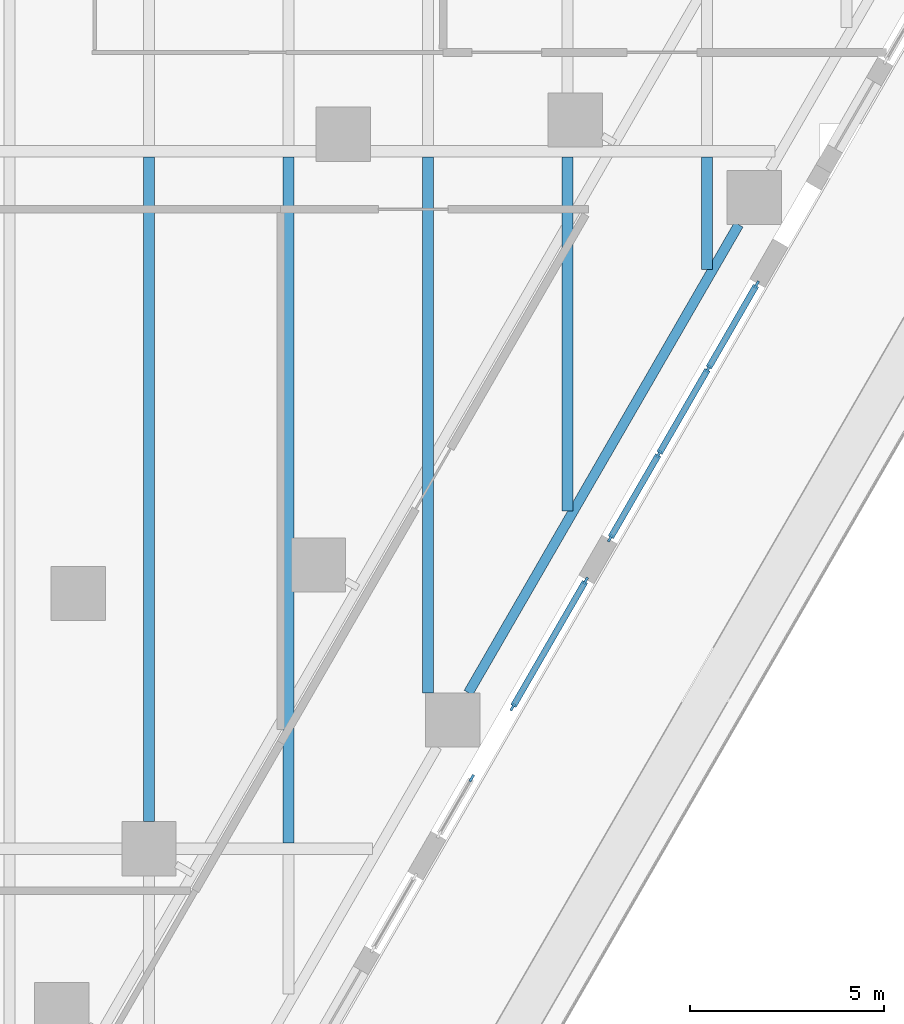
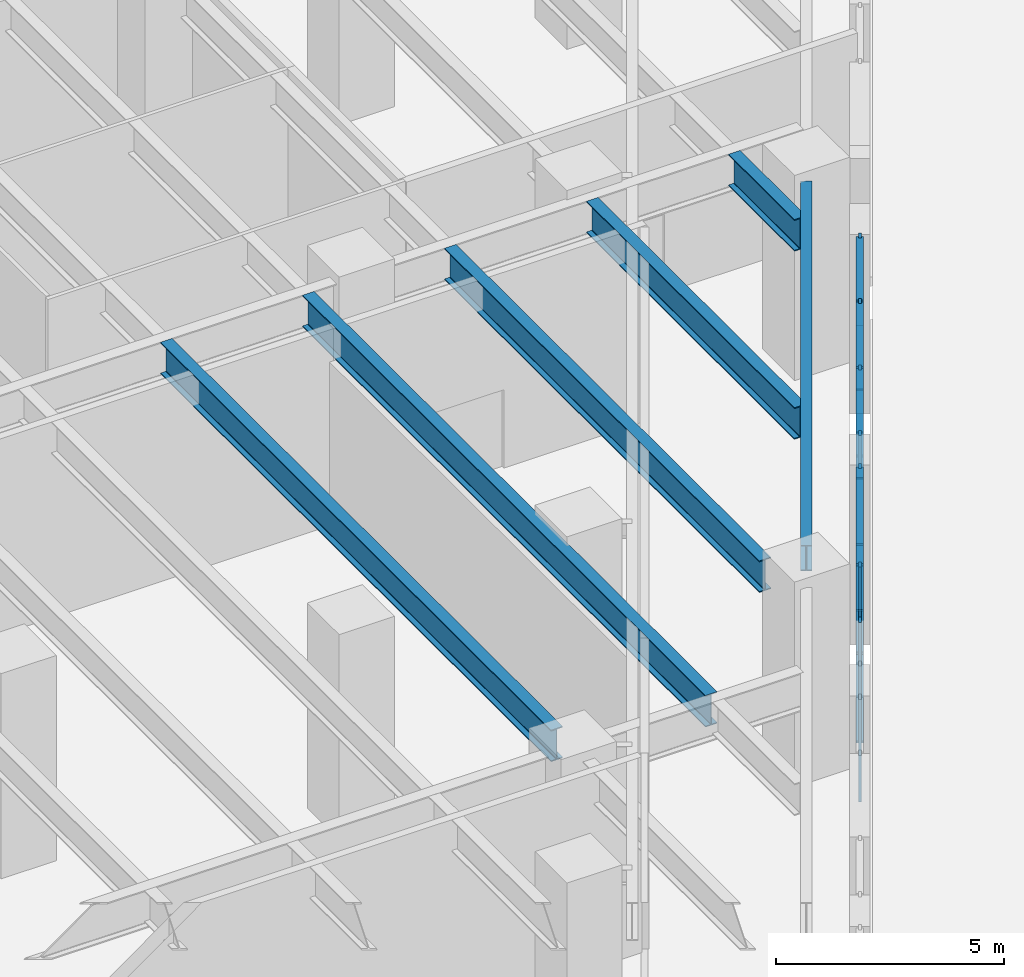
# One storey, part 10 of 30: 19 members, 6 beams, 3 elements without a shape of their own.
"""IFC4 building model written with IfcOpenShell, lengths in metres."""

from ifc_helpers import new_model, si_unit, direction, frame, origin, origin_2d, place, context, subcontext, project, spatial, rectangle, i_section, extrude, material, material_profile, profile_set, type_object, element, aggregate, save


model = new_model("IFC4")

# Units and contexts
model_context = context("Model", 3, precision=1e-05, world=origin(), true_north=direction((0.0, 1.0)))
body_context = subcontext(model_context, "Body", "Model", "MODEL_VIEW")
ifc_project = project(units=[si_unit("LENGTHUNIT", "METRE"), si_unit("AREAUNIT", "SQUARE_METRE"), si_unit("VOLUMEUNIT", "CUBIC_METRE"), si_unit("PLANEANGLEUNIT", "RADIAN"), si_unit("MASSUNIT", "GRAM", prefix="KILO")], contexts=[model_context])

# Site, building, storey
site_placement = place(None, origin())
site = spatial("IfcSite", under=ifc_project, at=site_placement, CompositionType="ELEMENT")
building_placement = place(site_placement, origin())
building = spatial("IfcBuilding", under=site, at=building_placement, Name="Aloe Facet Convention Tower", CompositionType="ELEMENT")
storey_placement = place(building_placement, frame((0.0, 0.0, 19.5)))
storey = spatial("IfcBuildingStorey", under=building, at=storey_placement, Name="L03", CompositionType="ELEMENT", Elevation=19.5)

# Curtain wall, member
ifc_material_1 = material(Name="Aluminium, anodised", Category="aluminium")
curtain_wall_type = type_object("IfcCurtainWallType", Name="EV-CW-HALL", PredefinedType="USERDEFINED", material=ifc_material_1)
curtain_wall_1_placement = place(storey_placement, origin())
curtain_wall_1 = element("IfcCurtainWall", 1, at=curtain_wall_1_placement, inside=storey, type_object=curtain_wall_type, Name="CW-L03-E12-1", ObjectType="UNITISED HALL GLAZING", PredefinedType="USERDEFINED")
ifc_material_2 = material(Name="Aluminium, anodised", Category="aluminium")
ifc_material_profile_1 = material_profile(ifc_material_2, rectangle(XDim=0.06494140625, YDim=0.199951171875, at=origin_2d()), Name="AL 65x200")
ifc_profile_set_1 = profile_set([ifc_material_profile_1], Name="Aluminium, anodised")
member_type_1 = type_object("IfcMemberType", Name="EV-MULL-HALL", PredefinedType="MULLION", material=ifc_profile_set_1)
member_1_placement = place(storey_placement, frame((106.328125, 100.822021484375, -0.25), z_axis=(0.0, 0.0, 1.0), x_axis=(-0.866025403846, 0.499999999894, 0.0)))
member_1 = element("IfcMember", 2, at=member_1_placement, type_object=member_type_1, Name="CW-L03-E12-1 mullion 2", PredefinedType="MULLION", context=body_context, shape_type="SweptSolid", body=[
    extrude(rectangle(XDim=0.06494140625, YDim=0.199951171875, at=origin_2d()), origin(), (0.0, 0.0, 1.0), 4.8125),
])
aggregate(curtain_wall_1, [member_1])

# Curtain wall, members
curtain_wall_2_placement = place(storey_placement, origin())
curtain_wall_2 = element("IfcCurtainWall", 3, at=curtain_wall_2_placement, inside=storey, type_object=curtain_wall_type, Name="CW-L03-E12-2", ObjectType="UNITISED HALL GLAZING", PredefinedType="USERDEFINED")
member_2_placement = place(storey_placement, frame((107.385009765625, 102.65283203125, -0.25), z_axis=(0.0, 0.0, 1.0), x_axis=(-0.866025403802, 0.49999999997, 0.0)))
member_2 = element("IfcMember", 4, at=member_2_placement, type_object=member_type_1, Name="CW-L03-E12-2 mullion 1", PredefinedType="MULLION", context=body_context, shape_type="SweptSolid", body=[
    extrude(rectangle(XDim=0.06494140625, YDim=0.199951171875, at=origin_2d()), origin(), (0.0, 0.0, 1.0), 4.8125),
])
member_3_placement = place(storey_placement, frame((109.269287109375, 105.916259765625, -0.25), z_axis=(0.0, 0.0, 1.0), x_axis=(-0.866025403802, 0.49999999997, 0.0)))
member_3 = element("IfcMember", 5, at=member_3_placement, type_object=member_type_1, Name="CW-L03-E12-2 mullion 2", PredefinedType="MULLION", context=body_context, shape_type="SweptSolid", body=[
    extrude(rectangle(XDim=0.06494140625, YDim=0.199951171875, at=origin_2d()), origin(), (0.0, 0.0, 1.0), 4.8125),
])

curtain_wall_3_placement = place(storey_placement, origin())
curtain_wall_3 = element("IfcCurtainWall", 6, at=curtain_wall_3_placement, inside=storey, type_object=curtain_wall_type, Name="CW-L03-E14", ObjectType="UNITISED HALL GLAZING", PredefinedType="USERDEFINED")
member_4_placement = place(storey_placement, frame((109.901611328125, 107.011962890625, -0.25), z_axis=(0.0, 0.0, 1.0), x_axis=(-0.866025403802, 0.49999999997, 0.0)))
member_4 = element("IfcMember", 7, at=member_4_placement, type_object=member_type_1, Name="CW-L03-E14 mullion 1", PredefinedType="MULLION", context=body_context, shape_type="SweptSolid", body=[
    extrude(rectangle(XDim=0.06494140625, YDim=0.199951171875, at=origin_2d()), origin(), (0.0, 0.0, 1.0), 4.8125),
])
member_5_placement = place(storey_placement, frame((111.156494140625, 109.185302734375, -0.25), z_axis=(0.0, 0.0, 1.0), x_axis=(-0.866025403802, 0.49999999997, 0.0)))
member_5 = element("IfcMember", 8, at=member_5_placement, type_object=member_type_1, Name="CW-L03-E14 mullion 2", PredefinedType="MULLION", context=body_context, shape_type="SweptSolid", body=[
    extrude(rectangle(XDim=0.06494140625, YDim=0.199951171875, at=origin_2d()), origin(), (0.0, 0.0, 1.0), 4.8125),
])
member_6_placement = place(storey_placement, frame((112.427734375, 111.386962890625, -0.25), z_axis=(0.0, 0.0, 1.0), x_axis=(-0.866025403802, 0.49999999997, 0.0)))
member_6 = element("IfcMember", 9, at=member_6_placement, type_object=member_type_1, Name="CW-L03-E14 mullion 3", PredefinedType="MULLION", context=body_context, shape_type="SweptSolid", body=[
    extrude(rectangle(XDim=0.06494140625, YDim=0.199951171875, at=origin_2d()), origin(), (0.0, 0.0, 1.0), 4.8125),
])
member_7_placement = place(storey_placement, frame((113.6826171875, 113.560546875, -0.25), z_axis=(0.0, 0.0, 1.0), x_axis=(-0.866025403802, 0.49999999997, 0.0)))
member_7 = element("IfcMember", 10, at=member_7_placement, type_object=member_type_1, Name="CW-L03-E14 mullion 4", PredefinedType="MULLION", context=body_context, shape_type="SweptSolid", body=[
    extrude(rectangle(XDim=0.06494140625, YDim=0.199951171875, at=origin_2d()), origin(), (0.0, 0.0, 1.0), 4.8125),
])

# Member
ifc_material_3 = material(Name="Aluminium, anodised", Category="aluminium")
ifc_material_profile_2 = material_profile(ifc_material_3, rectangle(XDim=0.159912109375, YDim=0.06494140625, at=origin_2d()), Name="AL 160x65")
ifc_profile_set_2 = profile_set([ifc_material_profile_2], Name="Aluminium, anodised")
member_type_2 = type_object("IfcMemberType", Name="EV-TRAN-HALL", PredefinedType="USERDEFINED", material=ifc_profile_set_2)
member_8_placement = place(storey_placement, frame((107.4013671875, 102.68115234375, -0.217529296875), z_axis=(0.499996383721, 0.866027491634, 0.0), x_axis=(-0.866027491634, 0.499996383721, 0.0)))
member_8 = element("IfcMember", 11, at=member_8_placement, type_object=member_type_2, Name="CW-L03-E12-2 transom 1.1", ObjectType="TRANSOM", PredefinedType="USERDEFINED", context=body_context, shape_type="SweptSolid", body=[
    extrude(rectangle(XDim=0.159912109375, YDim=0.06494140625, at=origin_2d()), origin(), (0.0, 0.0, 1.0), 3.703125),
])

member_9_placement = place(storey_placement, frame((107.4013671875, 102.68115234375, 2.15625), z_axis=(0.499996383721, 0.866027491634, 0.0), x_axis=(-0.866027491634, 0.499996383721, 0.0)))
member_9 = element("IfcMember", 12, at=member_9_placement, type_object=member_type_2, Name="CW-L03-E12-2 transom 1.2", ObjectType="TRANSOM", PredefinedType="USERDEFINED", context=body_context, shape_type="SweptSolid", body=[
    extrude(rectangle(XDim=0.159912109375, YDim=0.06494140625, at=origin_2d()), origin(), (0.0, 0.0, 1.0), 3.703125),
])

member_10_placement = place(storey_placement, frame((107.4013671875, 102.68115234375, 4.530029296875), z_axis=(0.499996383721, 0.866027491634, 0.0), x_axis=(-0.866027491634, 0.499996383721, 0.0)))
member_10 = element("IfcMember", 13, at=member_10_placement, type_object=member_type_2, Name="CW-L03-E12-2 transom 1.3", ObjectType="TRANSOM", PredefinedType="USERDEFINED", context=body_context, shape_type="SweptSolid", body=[
    extrude(rectangle(XDim=0.159912109375, YDim=0.06494140625, at=origin_2d()), origin(), (0.0, 0.0, 1.0), 3.703125),
])

aggregate(curtain_wall_2, [member_2, member_3, member_8, member_9, member_10])

member_11_placement = place(storey_placement, frame((109.91796875, 107.0400390625, -0.217529296875), z_axis=(0.500016362458, 0.866015956709, 0.0), x_axis=(-0.866015956709, 0.500016362458, 0.0)))
member_11 = element("IfcMember", 14, at=member_11_placement, type_object=member_type_2, Name="CW-L03-E14 transom 1.1", ObjectType="TRANSOM", PredefinedType="USERDEFINED", context=body_context, shape_type="SweptSolid", body=[
    extrude(rectangle(XDim=0.159912109375, YDim=0.06494140625, at=origin_2d()), origin(), (0.0, 0.0, 1.0), 2.44482421875),
])

member_12_placement = place(storey_placement, frame((109.91796875, 107.0400390625, 2.15625), z_axis=(0.500016362458, 0.866015956709, 0.0), x_axis=(-0.866015956709, 0.500016362458, 0.0)))
member_12 = element("IfcMember", 15, at=member_12_placement, type_object=member_type_2, Name="CW-L03-E14 transom 1.2", ObjectType="TRANSOM", PredefinedType="USERDEFINED", context=body_context, shape_type="SweptSolid", body=[
    extrude(rectangle(XDim=0.159912109375, YDim=0.06494140625, at=origin_2d()), origin(), (0.0, 0.0, 1.0), 2.44482421875),
])

member_13_placement = place(storey_placement, frame((109.91796875, 107.0400390625, 4.530029296875), z_axis=(0.500016362458, 0.866015956709, 0.0), x_axis=(-0.866015956709, 0.500016362458, 0.0)))
member_13 = element("IfcMember", 16, at=member_13_placement, type_object=member_type_2, Name="CW-L03-E14 transom 1.3", ObjectType="TRANSOM", PredefinedType="USERDEFINED", context=body_context, shape_type="SweptSolid", body=[
    extrude(rectangle(XDim=0.159912109375, YDim=0.06494140625, at=origin_2d()), origin(), (0.0, 0.0, 1.0), 2.44482421875),
])

member_14_placement = place(storey_placement, frame((111.1728515625, 109.213623046875, -0.217529296875), z_axis=(0.499986929959, 0.866032949645, 0.0), x_axis=(-0.866032949645, 0.499986929959, 0.0)))
member_14 = element("IfcMember", 17, at=member_14_placement, type_object=member_type_2, Name="CW-L03-E14 transom 2.1", ObjectType="TRANSOM", PredefinedType="USERDEFINED", context=body_context, shape_type="SweptSolid", body=[
    extrude(rectangle(XDim=0.159912109375, YDim=0.06494140625, at=origin_2d()), origin(), (0.0, 0.0, 1.0), 2.47705078125),
])

member_15_placement = place(storey_placement, frame((111.1728515625, 109.213623046875, 2.15625), z_axis=(0.499986929959, 0.866032949645, 0.0), x_axis=(-0.866032949645, 0.499986929959, 0.0)))
member_15 = element("IfcMember", 18, at=member_15_placement, type_object=member_type_2, Name="CW-L03-E14 transom 2.2", ObjectType="TRANSOM", PredefinedType="USERDEFINED", context=body_context, shape_type="SweptSolid", body=[
    extrude(rectangle(XDim=0.159912109375, YDim=0.06494140625, at=origin_2d()), origin(), (0.0, 0.0, 1.0), 2.47705078125),
])

member_16_placement = place(storey_placement, frame((111.1728515625, 109.213623046875, 4.530029296875), z_axis=(0.499986929959, 0.866032949645, 0.0), x_axis=(-0.866032949645, 0.499986929959, 0.0)))
member_16 = element("IfcMember", 19, at=member_16_placement, type_object=member_type_2, Name="CW-L03-E14 transom 2.3", ObjectType="TRANSOM", PredefinedType="USERDEFINED", context=body_context, shape_type="SweptSolid", body=[
    extrude(rectangle(XDim=0.159912109375, YDim=0.06494140625, at=origin_2d()), origin(), (0.0, 0.0, 1.0), 2.47705078125),
])

member_17_placement = place(storey_placement, frame((112.444091796875, 111.415283203125, -0.217529296875), z_axis=(0.499941460885, 0.86605919872, 0.0), x_axis=(-0.86605919872, 0.499941460885, 0.0)))
member_17 = element("IfcMember", 20, at=member_17_placement, type_object=member_type_2, Name="CW-L03-E14 transom 3.1", ObjectType="TRANSOM", PredefinedType="USERDEFINED", context=body_context, shape_type="SweptSolid", body=[
    extrude(rectangle(XDim=0.159912109375, YDim=0.06494140625, at=origin_2d()), origin(), (0.0, 0.0, 1.0), 2.444580078125),
])

member_18_placement = place(storey_placement, frame((112.444091796875, 111.415283203125, 2.15625), z_axis=(0.499941460885, 0.86605919872, 0.0), x_axis=(-0.86605919872, 0.499941460885, 0.0)))
member_18 = element("IfcMember", 21, at=member_18_placement, type_object=member_type_2, Name="CW-L03-E14 transom 3.2", ObjectType="TRANSOM", PredefinedType="USERDEFINED", context=body_context, shape_type="SweptSolid", body=[
    extrude(rectangle(XDim=0.159912109375, YDim=0.06494140625, at=origin_2d()), origin(), (0.0, 0.0, 1.0), 2.444580078125),
])

member_19_placement = place(storey_placement, frame((112.444091796875, 111.415283203125, 4.530029296875), z_axis=(0.499941460885, 0.86605919872, 0.0), x_axis=(-0.86605919872, 0.499941460885, 0.0)))
member_19 = element("IfcMember", 22, at=member_19_placement, type_object=member_type_2, Name="CW-L03-E14 transom 3.3", ObjectType="TRANSOM", PredefinedType="USERDEFINED", context=body_context, shape_type="SweptSolid", body=[
    extrude(rectangle(XDim=0.159912109375, YDim=0.06494140625, at=origin_2d()), origin(), (0.0, 0.0, 1.0), 2.444580078125),
])

aggregate(curtain_wall_3, [member_4, member_5, member_6, member_7, member_11, member_12, member_13, member_14, member_15, member_16, member_17, member_18, member_19])

# Beams
ifc_material_4 = material(Name="Steel S355", Category="steel")
ifc_material_profile_3 = material_profile(ifc_material_4, i_section(OverallWidth=0.25439453125, OverallDepth=0.6875, WebThickness=0.01318359375, FlangeThickness=0.02099609375, FilletRadius=0.01513671875, at=origin_2d()), Name="UB 686x254x152")
ifc_profile_set_3 = profile_set([ifc_material_profile_3], Name="Steel S355")
beam_type_1 = type_object("IfcBeamType", Name="SF-B-UB686x254x152", PredefinedType="BEAM", material=ifc_profile_set_3)
beam_1_placement = place(storey_placement, frame((113.217529296875, 115.10498046875, 4.90625), z_axis=(-0.499996175863, -0.86602761164, 0.0), x_axis=(0.86602761164, -0.499996175863, 0.0)))
element("IfcBeam", 23, at=beam_1_placement, inside=storey, type_object=beam_type_1, Name="Floor beam FB-L04-017", PredefinedType="BEAM", context=body_context, shape_type="SweptSolid", body=[
    extrude(i_section(OverallWidth=0.25439453125, OverallDepth=0.6875, WebThickness=0.01318359375, FlangeThickness=0.02099609375, FilletRadius=0.01513671875, at=origin_2d()), origin(), (0.0, 0.0, 1.0), 13.94873046875),
])
ifc_material_5 = material(Name="Steel S355", Category="steel")
ifc_material_profile_4 = material_profile(ifc_material_5, i_section(OverallWidth=0.293701171875, OverallDepth=0.850830078125, WebThickness=0.01611328125, FlangeThickness=0.02685546875, FilletRadius=0.017822265625, at=origin_2d()), Name="UB 838x292x226")
ifc_profile_set_4 = profile_set([ifc_material_profile_4], Name="Steel S355")
beam_type_2 = type_object("IfcBeamType", Name="SF-B-UB838x292x226", PredefinedType="BEAM", material=ifc_profile_set_4)
beam_2_placement = place(storey_placement, frame((98.0, 99.699951171875, 4.824462890625), z_axis=(0.0, 1.0, 0.0), x_axis=(-1.0, 0.0, 0.0)))
element("IfcBeam", 24, at=beam_2_placement, inside=storey, type_object=beam_type_2, Name="Floor beam FB-L04-092", PredefinedType="BEAM", context=body_context, shape_type="SweptSolid", body=[
    extrude(i_section(OverallWidth=0.293701171875, OverallDepth=0.850830078125, WebThickness=0.01611328125, FlangeThickness=0.02685546875, FilletRadius=0.017822265625, at=origin_2d()), origin(), (0.0, 0.0, 1.0), 17.1474609375),
])
beam_3_placement = place(storey_placement, frame((101.60009765625, 99.152587890625, 4.824462890625), z_axis=(0.0, 1.0, 0.0), x_axis=(-1.0, 0.0, 0.0)))
element("IfcBeam", 25, at=beam_3_placement, inside=storey, type_object=beam_type_2, Name="Floor beam FB-L04-095", PredefinedType="BEAM", context=body_context, shape_type="SweptSolid", body=[
    extrude(i_section(OverallWidth=0.293701171875, OverallDepth=0.850830078125, WebThickness=0.01611328125, FlangeThickness=0.02685546875, FilletRadius=0.017822265625, at=origin_2d()), origin(), (0.0, 0.0, 1.0), 17.69482421875),
])
beam_4_placement = place(storey_placement, frame((105.199951171875, 103.02490234375, 4.824462890625), z_axis=(0.0, 1.0, 0.0), x_axis=(-1.0, 0.0, 0.0)))
element("IfcBeam", 26, at=beam_4_placement, inside=storey, type_object=beam_type_2, Name="Floor beam FB-L04-097", PredefinedType="BEAM", context=body_context, shape_type="SweptSolid", body=[
    extrude(i_section(OverallWidth=0.293701171875, OverallDepth=0.850830078125, WebThickness=0.01611328125, FlangeThickness=0.02685546875, FilletRadius=0.017822265625, at=origin_2d()), origin(), (0.0, 0.0, 1.0), 13.822509765625),
])
beam_5_placement = place(storey_placement, frame((108.800048828125, 107.718017578125, 4.824462890625), z_axis=(0.0, 1.0, 0.0), x_axis=(-1.0, 0.0, 0.0)))
element("IfcBeam", 27, at=beam_5_placement, inside=storey, type_object=beam_type_2, Name="Floor beam FB-L04-100", PredefinedType="BEAM", context=body_context, shape_type="SweptSolid", body=[
    extrude(i_section(OverallWidth=0.293701171875, OverallDepth=0.850830078125, WebThickness=0.01611328125, FlangeThickness=0.02685546875, FilletRadius=0.017822265625, at=origin_2d()), origin(), (0.0, 0.0, 1.0), 9.12939453125),
])
beam_6_placement = place(storey_placement, frame((112.39990234375, 113.95361328125, 4.824462890625), z_axis=(0.0, 1.0, 0.0), x_axis=(-1.0, 0.0, 0.0)))
element("IfcBeam", 28, at=beam_6_placement, inside=storey, type_object=beam_type_2, Name="Floor beam FB-L04-102", PredefinedType="BEAM", context=body_context, shape_type="SweptSolid", body=[
    extrude(i_section(OverallWidth=0.293701171875, OverallDepth=0.850830078125, WebThickness=0.01611328125, FlangeThickness=0.02685546875, FilletRadius=0.017822265625, at=origin_2d()), origin(), (0.0, 0.0, 1.0), 2.893798828125),
])

save(model, "model.ifc")
